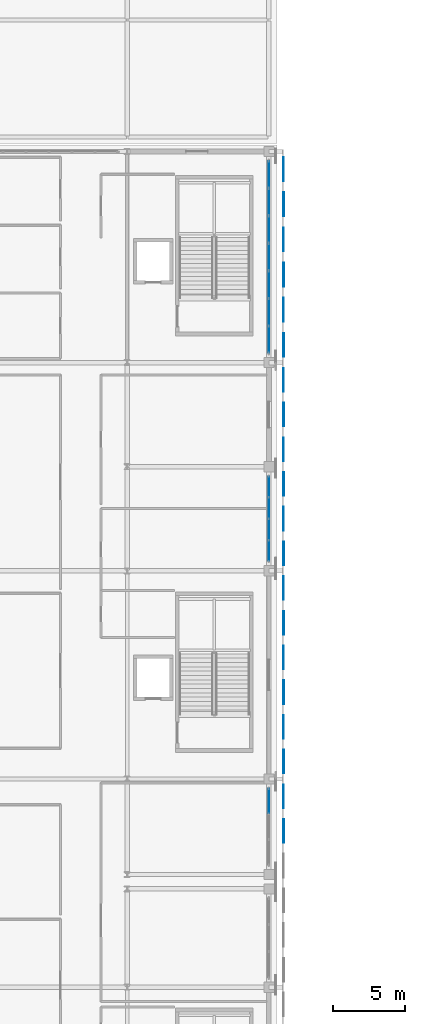
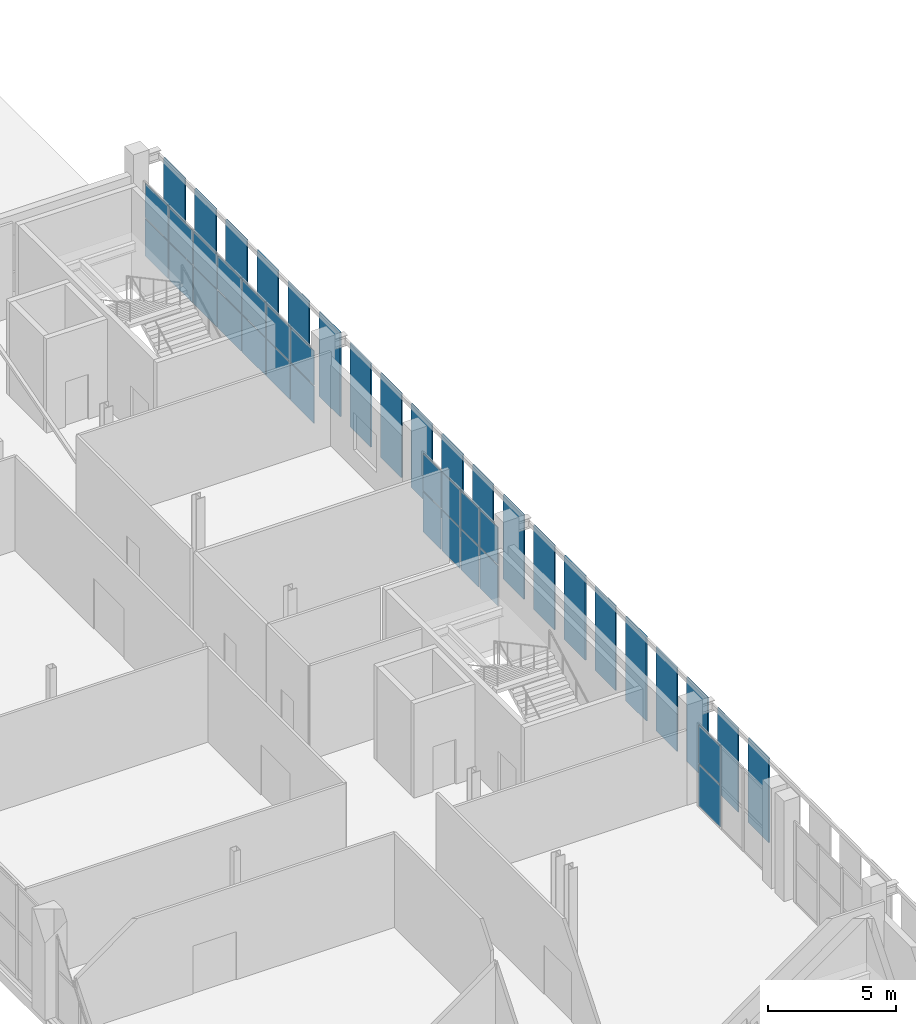
# One storey, part 60 of 104: 44 plates, 3 elements without a shape of their own.
"""IFC4 building model written with IfcOpenShell, lengths in metres."""

from ifc_helpers import new_model, si_unit, direction, frame, origin, origin_2d, place, context, subcontext, project, spatial, rectangle, extrude, material, layer, layer_set, type_object, element, aggregate, save


model = new_model("IFC4")

# Units and contexts
model_context = context("Model", 3, precision=1e-05, world=origin(), true_north=direction((0.0, 1.0)))
body_context = subcontext(model_context, "Body", "Model", "MODEL_VIEW")
ifc_project = project(units=[si_unit("LENGTHUNIT", "METRE"), si_unit("AREAUNIT", "SQUARE_METRE"), si_unit("VOLUMEUNIT", "CUBIC_METRE"), si_unit("PLANEANGLEUNIT", "RADIAN"), si_unit("MASSUNIT", "GRAM", prefix="KILO")], contexts=[model_context])

# Site, building, storey
site_placement = place(None, origin())
site = spatial("IfcSite", under=ifc_project, at=site_placement, CompositionType="ELEMENT")
building_placement = place(site_placement, origin())
building = spatial("IfcBuilding", under=site, at=building_placement, Name="Koshinbarg Plaza Stadium", CompositionType="ELEMENT")
storey_placement = place(building_placement, frame((0.0, 0.0, 19.800048828125)))
storey = spatial("IfcBuildingStorey", under=building, at=storey_placement, Name="L04", CompositionType="ELEMENT", Elevation=19.800048828125)

# Curtain wall, plates
ifc_material_1 = material(Name="Thermally broken anodised aluminium and low-E double glazing", Category="aluminium")
curtain_wall_type_1 = type_object("IfcCurtainWallType", Name="CW-SYS-05", PredefinedType="NOTDEFINED", material=ifc_material_1)
curtain_wall_1_placement = place(storey_placement, origin())
curtain_wall_1 = element("IfcCurtainWall", 1, at=curtain_wall_1_placement, inside=storey, type_object=curtain_wall_type_1, Name="L04 unitised curtain wall CW-L04-100", PredefinedType="NOTDEFINED")
ifc_material_2 = material(Name="Solar-control low-E double glazing unit", Category="glass")
ifc_layer_1 = layer(ifc_material_2, 0.028076171875)
ifc_layer_set_1 = layer_set([ifc_layer_1], Name="Solar-control low-E double glazing unit")
plate_type_1 = type_object("IfcPlateType", Name="CW-PNL-28", PredefinedType="CURTAIN_PANEL", material=ifc_layer_set_1)
plate_1_placement = place(storey_placement, frame((218.39990234375, 103.320068359375, 0.06005859375), z_axis=(0.0, 0.0, 1.0), x_axis=(0.0, -1.0, 0.0)))
plate_1 = element("IfcPlate", 2, at=plate_1_placement, type_object=plate_type_1, Name="CW05 panel 1.1", PredefinedType="CURTAIN_PANEL", context=body_context, shape_type="SweptSolid", body=[
    extrude(rectangle(XDim=1.39990234375, YDim=0.028076171875, at=origin_2d()), origin(), (0.0, 0.0, 1.0), 1.927490234375),
])
plate_2_placement = place(storey_placement, frame((218.39990234375, 103.320068359375, 2.047607421875), z_axis=(0.0, 0.0, 1.0), x_axis=(0.0, -1.0, 0.0)))
plate_2 = element("IfcPlate", 3, at=plate_2_placement, type_object=plate_type_1, Name="CW05 panel 1.2", PredefinedType="CURTAIN_PANEL", context=body_context, shape_type="SweptSolid", body=[
    extrude(rectangle(XDim=1.39990234375, YDim=0.028076171875, at=origin_2d()), origin(), (0.0, 0.0, 1.0), 1.7724609375),
])
plate_3_placement = place(storey_placement, frame((218.39990234375, 101.844970703125, 0.06005859375), z_axis=(0.0, 0.0, 1.0), x_axis=(0.0, -1.0, 0.0)))
plate_3 = element("IfcPlate", 4, at=plate_3_placement, type_object=plate_type_1, Name="CW05 panel 2.1", PredefinedType="CURTAIN_PANEL", context=body_context, shape_type="SweptSolid", body=[
    extrude(rectangle(XDim=1.429931640625, YDim=0.028076171875, at=origin_2d()), origin(), (0.0, 0.0, 1.0), 1.927490234375),
])
plate_4_placement = place(storey_placement, frame((218.39990234375, 101.844970703125, 2.047607421875), z_axis=(0.0, 0.0, 1.0), x_axis=(0.0, -1.0, 0.0)))
plate_4 = element("IfcPlate", 5, at=plate_4_placement, type_object=plate_type_1, Name="CW05 panel 2.2", PredefinedType="CURTAIN_PANEL", context=body_context, shape_type="SweptSolid", body=[
    extrude(rectangle(XDim=1.429931640625, YDim=0.028076171875, at=origin_2d()), origin(), (0.0, 0.0, 1.0), 1.7724609375),
])
plate_5_placement = place(storey_placement, frame((218.39990234375, 100.35498046875, 0.06005859375), z_axis=(0.0, 0.0, 1.0), x_axis=(0.0, -1.0, 0.0)))
plate_5 = element("IfcPlate", 6, at=plate_5_placement, type_object=plate_type_1, Name="CW05 panel 3.1", PredefinedType="CURTAIN_PANEL", context=body_context, shape_type="SweptSolid", body=[
    extrude(rectangle(XDim=1.429931640625, YDim=0.028076171875, at=origin_2d()), origin(), (0.0, 0.0, 1.0), 1.927490234375),
])
plate_6_placement = place(storey_placement, frame((218.39990234375, 100.35498046875, 2.047607421875), z_axis=(0.0, 0.0, 1.0), x_axis=(0.0, -1.0, 0.0)))
plate_6 = element("IfcPlate", 7, at=plate_6_placement, type_object=plate_type_1, Name="CW05 panel 3.2", PredefinedType="CURTAIN_PANEL", context=body_context, shape_type="SweptSolid", body=[
    extrude(rectangle(XDim=1.429931640625, YDim=0.028076171875, at=origin_2d()), origin(), (0.0, 0.0, 1.0), 1.7724609375),
])
plate_7_placement = place(storey_placement, frame((218.39990234375, 98.8798828125, 0.06005859375), z_axis=(0.0, 0.0, 1.0), x_axis=(0.0, -1.0, 0.0)))
plate_7 = element("IfcPlate", 8, at=plate_7_placement, type_object=plate_type_1, Name="CW05 panel 4.1", PredefinedType="CURTAIN_PANEL", context=body_context, shape_type="SweptSolid", body=[
    extrude(rectangle(XDim=1.39990234375, YDim=0.028076171875, at=origin_2d()), origin(), (0.0, 0.0, 1.0), 1.927490234375),
])
plate_8_placement = place(storey_placement, frame((218.39990234375, 98.8798828125, 2.047607421875), z_axis=(0.0, 0.0, 1.0), x_axis=(0.0, -1.0, 0.0)))
plate_8 = element("IfcPlate", 9, at=plate_8_placement, type_object=plate_type_1, Name="CW05 panel 4.2", PredefinedType="CURTAIN_PANEL", context=body_context, shape_type="SweptSolid", body=[
    extrude(rectangle(XDim=1.39990234375, YDim=0.028076171875, at=origin_2d()), origin(), (0.0, 0.0, 1.0), 1.7724609375),
])
aggregate(curtain_wall_1, [plate_1, plate_2, plate_3, plate_4, plate_5, plate_6, plate_7, plate_8])

curtain_wall_type_2 = type_object("IfcCurtainWallType", Name="CW-SYS-04", PredefinedType="NOTDEFINED", material=ifc_material_1)
curtain_wall_2_placement = place(storey_placement, origin())
curtain_wall_2 = element("IfcCurtainWall", 10, at=curtain_wall_2_placement, inside=storey, type_object=curtain_wall_type_2, Name="L04 unitised curtain wall CW-L04-099", PredefinedType="NOTDEFINED")
ifc_material_3 = material(Name="Acoustic solar-control double glazing unit", Category="glass")
ifc_layer_2 = layer(ifc_material_3, 0.031982421875)
ifc_layer_set_2 = layer_set([ifc_layer_2], Name="Acoustic solar-control double glazing unit")
plate_type_2 = type_object("IfcPlateType", Name="CW-PNL-32", PredefinedType="CURTAIN_PANEL", material=ifc_layer_set_2)
plate_9_placement = place(storey_placement, frame((218.39990234375, 124.91064453125, 0.06005859375), z_axis=(0.0, 0.0, 1.0), x_axis=(0.0, -1.0, 0.0)))
plate_9 = element("IfcPlate", 11, at=plate_9_placement, type_object=plate_type_2, Name="CW04 panel 1.1", PredefinedType="CURTAIN_PANEL", context=body_context, shape_type="SweptSolid", body=[
    extrude(rectangle(XDim=1.818603515625, YDim=0.031982421875, at=origin_2d()), origin(), (0.0, 0.0, 1.0), 1.771484375),
])
plate_10_placement = place(storey_placement, frame((218.39990234375, 124.91064453125, 1.8916015625), z_axis=(0.0, 0.0, 1.0), x_axis=(0.0, -1.0, 0.0)))
plate_10 = element("IfcPlate", 12, at=plate_10_placement, type_object=plate_type_2, Name="CW04 panel 1.2", PredefinedType="CURTAIN_PANEL", context=body_context, shape_type="SweptSolid", body=[
    extrude(rectangle(XDim=1.818603515625, YDim=0.031982421875, at=origin_2d()), origin(), (0.0, 0.0, 1.0), 1.62841796875),
])
plate_11_placement = place(storey_placement, frame((218.39990234375, 123.01708984375, 0.06005859375), z_axis=(0.0, 0.0, 1.0), x_axis=(0.0, -1.0, 0.0)))
plate_11 = element("IfcPlate", 13, at=plate_11_placement, type_object=plate_type_2, Name="CW04 panel 2.1", PredefinedType="CURTAIN_PANEL", context=body_context, shape_type="SweptSolid", body=[
    extrude(rectangle(XDim=1.8486328125, YDim=0.031982421875, at=origin_2d()), origin(), (0.0, 0.0, 1.0), 1.771484375),
])
plate_12_placement = place(storey_placement, frame((218.39990234375, 123.01708984375, 1.8916015625), z_axis=(0.0, 0.0, 1.0), x_axis=(0.0, -1.0, 0.0)))
plate_12 = element("IfcPlate", 14, at=plate_12_placement, type_object=plate_type_2, Name="CW04 panel 2.2", PredefinedType="CURTAIN_PANEL", context=body_context, shape_type="SweptSolid", body=[
    extrude(rectangle(XDim=1.8486328125, YDim=0.031982421875, at=origin_2d()), origin(), (0.0, 0.0, 1.0), 1.62841796875),
])
plate_13_placement = place(storey_placement, frame((218.39990234375, 121.108642578125, 0.06005859375), z_axis=(0.0, 0.0, 1.0), x_axis=(0.0, -1.0, 0.0)))
plate_13 = element("IfcPlate", 15, at=plate_13_placement, type_object=plate_type_2, Name="CW04 panel 3.1", PredefinedType="CURTAIN_PANEL", context=body_context, shape_type="SweptSolid", body=[
    extrude(rectangle(XDim=1.8486328125, YDim=0.031982421875, at=origin_2d()), origin(), (0.0, 0.0, 1.0), 1.771484375),
])
plate_14_placement = place(storey_placement, frame((218.39990234375, 121.108642578125, 1.8916015625), z_axis=(0.0, 0.0, 1.0), x_axis=(0.0, -1.0, 0.0)))
plate_14 = element("IfcPlate", 16, at=plate_14_placement, type_object=plate_type_2, Name="CW04 panel 3.2", PredefinedType="CURTAIN_PANEL", context=body_context, shape_type="SweptSolid", body=[
    extrude(rectangle(XDim=1.8486328125, YDim=0.031982421875, at=origin_2d()), origin(), (0.0, 0.0, 1.0), 1.62841796875),
])
plate_15_placement = place(storey_placement, frame((218.39990234375, 119.199951171875, 0.06005859375), z_axis=(0.0, 0.0, 1.0), x_axis=(0.0, -1.0, 0.0)))
plate_15 = element("IfcPlate", 17, at=plate_15_placement, type_object=plate_type_2, Name="CW04 panel 4.1", PredefinedType="CURTAIN_PANEL", context=body_context, shape_type="SweptSolid", body=[
    extrude(rectangle(XDim=1.8486328125, YDim=0.031982421875, at=origin_2d()), origin(), (0.0, 0.0, 1.0), 1.771484375),
])
plate_16_placement = place(storey_placement, frame((218.39990234375, 119.199951171875, 1.8916015625), z_axis=(0.0, 0.0, 1.0), x_axis=(0.0, -1.0, 0.0)))
plate_16 = element("IfcPlate", 18, at=plate_16_placement, type_object=plate_type_2, Name="CW04 panel 4.2", PredefinedType="CURTAIN_PANEL", context=body_context, shape_type="SweptSolid", body=[
    extrude(rectangle(XDim=1.8486328125, YDim=0.031982421875, at=origin_2d()), origin(), (0.0, 0.0, 1.0), 1.62841796875),
])
plate_17_placement = place(storey_placement, frame((218.39990234375, 117.29150390625, 0.06005859375), z_axis=(0.0, 0.0, 1.0), x_axis=(0.0, -1.0, 0.0)))
plate_17 = element("IfcPlate", 19, at=plate_17_placement, type_object=plate_type_2, Name="CW04 panel 5.1", PredefinedType="CURTAIN_PANEL", context=body_context, shape_type="SweptSolid", body=[
    extrude(rectangle(XDim=1.8486328125, YDim=0.031982421875, at=origin_2d()), origin(), (0.0, 0.0, 1.0), 1.771484375),
])
plate_18_placement = place(storey_placement, frame((218.39990234375, 117.29150390625, 1.8916015625), z_axis=(0.0, 0.0, 1.0), x_axis=(0.0, -1.0, 0.0)))
plate_18 = element("IfcPlate", 20, at=plate_18_placement, type_object=plate_type_2, Name="CW04 panel 5.2", PredefinedType="CURTAIN_PANEL", context=body_context, shape_type="SweptSolid", body=[
    extrude(rectangle(XDim=1.8486328125, YDim=0.031982421875, at=origin_2d()), origin(), (0.0, 0.0, 1.0), 1.62841796875),
])
plate_19_placement = place(storey_placement, frame((218.39990234375, 115.3828125, 0.06005859375), z_axis=(0.0, 0.0, 1.0), x_axis=(0.0, -1.0, 0.0)))
plate_19 = element("IfcPlate", 21, at=plate_19_placement, type_object=plate_type_2, Name="CW04 panel 6.1", PredefinedType="CURTAIN_PANEL", context=body_context, shape_type="SweptSolid", body=[
    extrude(rectangle(XDim=1.8486328125, YDim=0.031982421875, at=origin_2d()), origin(), (0.0, 0.0, 1.0), 1.771484375),
])
plate_20_placement = place(storey_placement, frame((218.39990234375, 115.3828125, 1.8916015625), z_axis=(0.0, 0.0, 1.0), x_axis=(0.0, -1.0, 0.0)))
plate_20 = element("IfcPlate", 22, at=plate_20_placement, type_object=plate_type_2, Name="CW04 panel 6.2", PredefinedType="CURTAIN_PANEL", context=body_context, shape_type="SweptSolid", body=[
    extrude(rectangle(XDim=1.8486328125, YDim=0.031982421875, at=origin_2d()), origin(), (0.0, 0.0, 1.0), 1.62841796875),
])
plate_21_placement = place(storey_placement, frame((218.39990234375, 113.4892578125, 0.06005859375), z_axis=(0.0, 0.0, 1.0), x_axis=(0.0, -1.0, 0.0)))
plate_21 = element("IfcPlate", 23, at=plate_21_placement, type_object=plate_type_2, Name="CW04 panel 7.1", PredefinedType="CURTAIN_PANEL", context=body_context, shape_type="SweptSolid", body=[
    extrude(rectangle(XDim=1.818603515625, YDim=0.031982421875, at=origin_2d()), origin(), (0.0, 0.0, 1.0), 1.771484375),
])
plate_22_placement = place(storey_placement, frame((218.39990234375, 113.4892578125, 1.8916015625), z_axis=(0.0, 0.0, 1.0), x_axis=(0.0, -1.0, 0.0)))
plate_22 = element("IfcPlate", 24, at=plate_22_placement, type_object=plate_type_2, Name="CW04 panel 7.2", PredefinedType="CURTAIN_PANEL", context=body_context, shape_type="SweptSolid", body=[
    extrude(rectangle(XDim=1.818603515625, YDim=0.031982421875, at=origin_2d()), origin(), (0.0, 0.0, 1.0), 1.62841796875),
])
aggregate(curtain_wall_2, [plate_9, plate_10, plate_11, plate_12, plate_13, plate_14, plate_15, plate_16, plate_17, plate_18, plate_19, plate_20, plate_21, plate_22])

curtain_wall_type_3 = type_object("IfcCurtainWallType", Name="CW-SYS-06", PredefinedType="NOTDEFINED", material=ifc_material_1)
curtain_wall_3_placement = place(storey_placement, origin())
curtain_wall_3 = element("IfcCurtainWall", 25, at=curtain_wall_3_placement, inside=storey, type_object=curtain_wall_type_3, Name="L04 unitised curtain wall CW-L04-101", PredefinedType="NOTDEFINED")
plate_23_placement = place(storey_placement, frame((218.39990234375, 81.57177734375, 0.06005859375), z_axis=(0.0, 0.0, 1.0), x_axis=(0.0, -1.0, 0.0)))
plate_23 = element("IfcPlate", 26, at=plate_23_placement, type_object=plate_type_2, Name="CW06 panel 1.1", PredefinedType="CURTAIN_PANEL", context=body_context, shape_type="SweptSolid", body=[
    extrude(rectangle(XDim=1.69677734375, YDim=0.031982421875, at=origin_2d()), origin(), (0.0, 0.0, 1.0), 1.9794921875),
])
plate_24_placement = place(storey_placement, frame((218.39990234375, 81.57177734375, 2.099609375), z_axis=(0.0, 0.0, 1.0), x_axis=(0.0, -1.0, 0.0)))
plate_24 = element("IfcPlate", 27, at=plate_24_placement, type_object=plate_type_2, Name="CW06 panel 1.2", PredefinedType="CURTAIN_PANEL", context=body_context, shape_type="SweptSolid", body=[
    extrude(rectangle(XDim=1.69677734375, YDim=0.031982421875, at=origin_2d()), origin(), (0.0, 0.0, 1.0), 1.8203125),
])
aggregate(curtain_wall_3, [plate_23, plate_24])

# Plates
ifc_material_4 = material(Name="Off-white mineral-coated perforated aluminium screen panel", Category="aluminium")
ifc_layer_3 = layer(ifc_material_4, 0.050048828125)
ifc_layer_set_3 = layer_set([ifc_layer_3], Name="Off-white mineral-coated perforated aluminium screen panel")
plate_type_3 = type_object("IfcPlateType", Name="PLT-SCR-50", PredefinedType="USERDEFINED", material=ifc_layer_set_3)
for number, where, z_axis, x_axis, name in (
    (28, (219.419921875, 81.89990234375, 0.19970703125), (0.0, 0.0, 1.0), (1.0, 0.0, 0.0), "L04 off-white leaf-pierced outer screen panel 234"),
    (29, (219.419921875, 86.699951171875, 0.19970703125), (0.0, 0.0, 1.0), (1.0, 0.0, 0.0), "L04 off-white leaf-pierced outer screen panel 236"),
    (30, (219.419921875, 91.5, 0.19970703125), (0.0, 0.0, 1.0), (1.0, 0.0, 0.0), "L04 off-white leaf-pierced outer screen panel 238"),
    (31, (219.419921875, 96.300048828125, 0.19970703125), (0.0, 0.0, 1.0), (1.0, 0.0, 0.0), "L04 off-white leaf-pierced outer screen panel 240"),
    (32, (219.419921875, 101.10009765625, 0.19970703125), (0.0, 0.0, 1.0), (1.0, 0.0, 0.0), "L04 off-white leaf-pierced outer screen panel 242"),
    (33, (219.419921875, 105.89990234375, 0.19970703125), (0.0, 0.0, 1.0), (1.0, 0.0, 0.0), "L04 off-white leaf-pierced outer screen panel 244"),
    (34, (219.419921875, 110.699951171875, 0.19970703125), (0.0, 0.0, 1.0), (1.0, 0.0, 0.0), "L04 off-white leaf-pierced outer screen panel 246"),
):
    element("IfcPlate", number, at=place(storey_placement, frame(where, z_axis=z_axis, x_axis=x_axis)), inside=storey, type_object=plate_type_3, Name=name, ObjectType="SCREEN PANEL", PredefinedType="USERDEFINED", context=body_context, shape_type="SweptSolid", body=[
        extrude(rectangle(XDim=0.050048828125, YDim=1.632080078125, at=origin_2d()), origin(), (0.0, 0.0, 1.0), 4.030029296875),
    ])
for number, where, z_axis, x_axis, name in (
    (35, (219.419921875, 115.550048828125, 0.19970703125), (0.0, 0.0, 1.0), (1.0, 0.0, 0.0), "L04 off-white leaf-pierced outer screen panel 248"),
    (36, (219.419921875, 120.416748046875, 0.19970703125), (0.0, 0.0, 1.0), (1.0, 0.0, 0.0), "L04 off-white leaf-pierced outer screen panel 250"),
    (37, (219.419921875, 125.283203125, 0.19970703125), (0.0, 0.0, 1.0), (1.0, 0.0, 0.0), "L04 off-white leaf-pierced outer screen panel 252"),
):
    element("IfcPlate", number, at=place(storey_placement, frame(where, z_axis=z_axis, x_axis=x_axis)), inside=storey, type_object=plate_type_3, Name=name, ObjectType="SCREEN PANEL", PredefinedType="USERDEFINED", context=body_context, shape_type="SweptSolid", body=[
        extrude(rectangle(XDim=0.050048828125, YDim=1.65478515625, at=origin_2d()), origin(), (0.0, 0.0, 1.0), 4.030029296875),
    ])
ifc_material_5 = material(Name="Off-white mineral-coated leaf-aperture GRC screen panel")
ifc_layer_4 = layer(ifc_material_5, 0.06005859375)
ifc_layer_set_4 = layer_set([ifc_layer_4], Name="Off-white mineral-coated leaf-aperture GRC screen panel")
plate_type_4 = type_object("IfcPlateType", Name="PLT-SCR-60", PredefinedType="USERDEFINED", material=ifc_layer_set_4)
for number, where, z_axis, x_axis, name in (
    (38, (219.425048828125, 79.5, 0.19970703125), (0.0, 0.0, 1.0), (1.0, 0.0, 0.0), "L04 off-white leaf-pierced outer screen panel 233"),
    (39, (219.425048828125, 84.300048828125, 0.19970703125), (0.0, 0.0, 1.0), (1.0, 0.0, 0.0), "L04 off-white leaf-pierced outer screen panel 235"),
    (40, (219.425048828125, 89.10009765625, 0.19970703125), (0.0, 0.0, 1.0), (1.0, 0.0, 0.0), "L04 off-white leaf-pierced outer screen panel 237"),
    (41, (219.425048828125, 93.89990234375, 0.19970703125), (0.0, 0.0, 1.0), (1.0, 0.0, 0.0), "L04 off-white leaf-pierced outer screen panel 239"),
    (42, (219.425048828125, 98.699951171875, 0.19970703125), (0.0, 0.0, 1.0), (1.0, 0.0, 0.0), "L04 off-white leaf-pierced outer screen panel 241"),
    (43, (219.425048828125, 103.5, 0.19970703125), (0.0, 0.0, 1.0), (1.0, 0.0, 0.0), "L04 off-white leaf-pierced outer screen panel 243"),
    (44, (219.425048828125, 108.300048828125, 0.19970703125), (0.0, 0.0, 1.0), (1.0, 0.0, 0.0), "L04 off-white leaf-pierced outer screen panel 245"),
):
    element("IfcPlate", number, at=place(storey_placement, frame(where, z_axis=z_axis, x_axis=x_axis)), inside=storey, type_object=plate_type_4, Name=name, ObjectType="SCREEN PANEL", PredefinedType="USERDEFINED", context=body_context, shape_type="SweptSolid", body=[
        extrude(rectangle(XDim=0.06005859375, YDim=1.632080078125, at=origin_2d()), origin(), (0.0, 0.0, 1.0), 4.030029296875),
    ])
for number, where, z_axis, x_axis, name in (
    (45, (219.425048828125, 113.11669921875, 0.19970703125), (0.0, 0.0, 1.0), (1.0, 0.0, 0.0), "L04 off-white leaf-pierced outer screen panel 247"),
    (46, (219.425048828125, 117.9833984375, 0.19970703125), (0.0, 0.0, 1.0), (1.0, 0.0, 0.0), "L04 off-white leaf-pierced outer screen panel 249"),
    (47, (219.425048828125, 122.85009765625, 0.19970703125), (0.0, 0.0, 1.0), (1.0, 0.0, 0.0), "L04 off-white leaf-pierced outer screen panel 251"),
):
    element("IfcPlate", number, at=place(storey_placement, frame(where, z_axis=z_axis, x_axis=x_axis)), inside=storey, type_object=plate_type_4, Name=name, ObjectType="SCREEN PANEL", PredefinedType="USERDEFINED", context=body_context, shape_type="SweptSolid", body=[
        extrude(rectangle(XDim=0.06005859375, YDim=1.65478515625, at=origin_2d()), origin(), (0.0, 0.0, 1.0), 4.030029296875),
    ])

save(model, "model.ifc")
